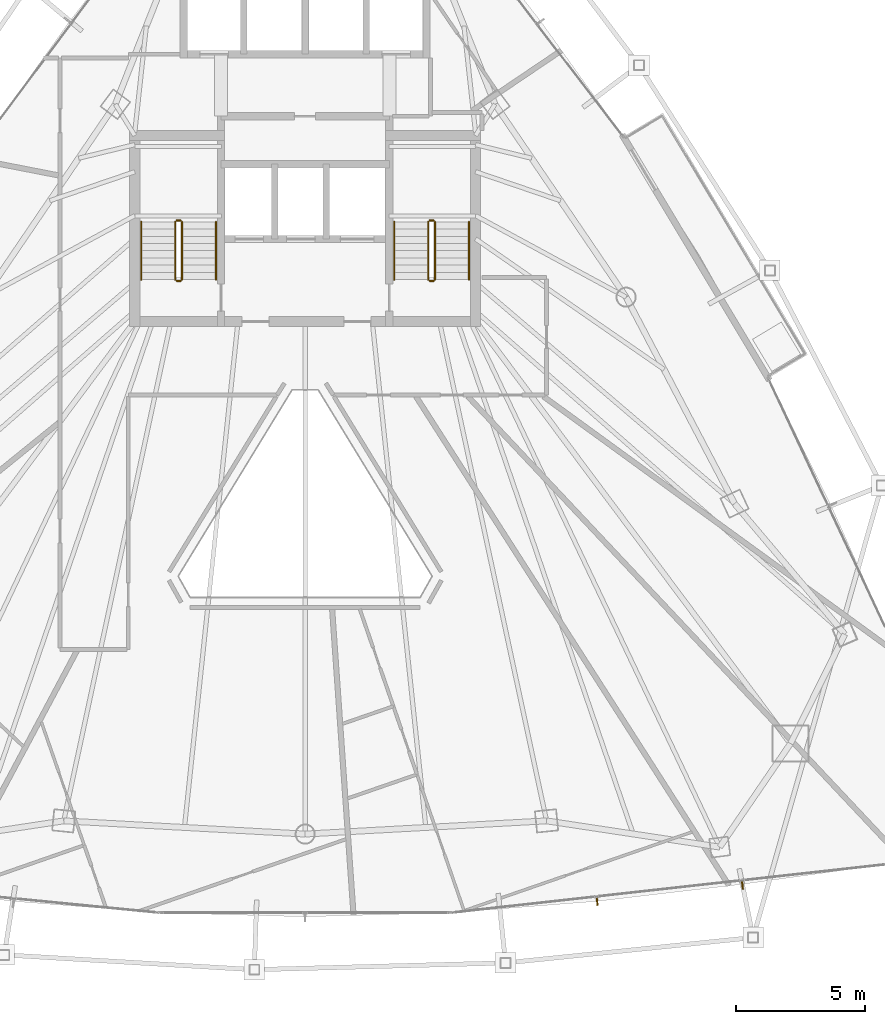
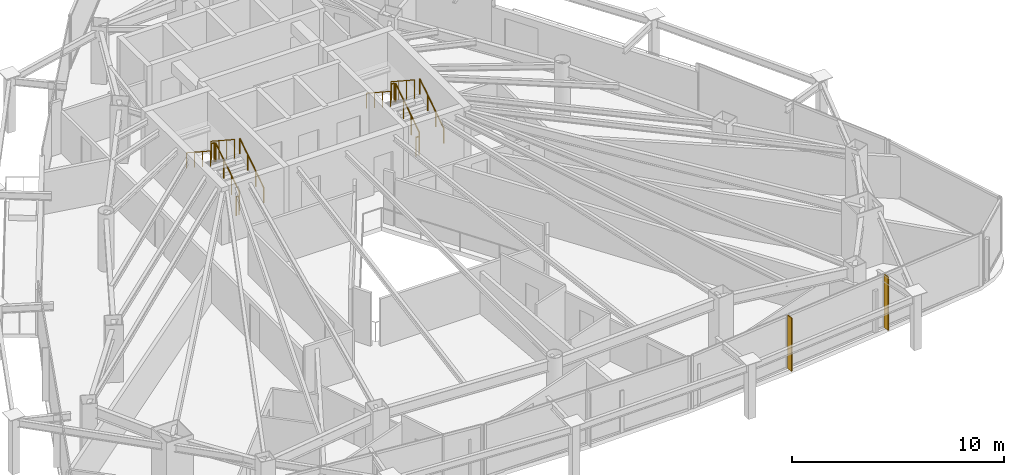
# One storey, part 28 of 29: 12 railings, 2 shading devices.
"""IFC4 building model written with IfcOpenShell, lengths in metres."""

from ifc_helpers import new_model, si_unit, direction, frame, origin, origin_2d, place, context, subcontext, project, spatial, rectangle, circle, extrude, material, layer, layer_set, type_object, element, save


model = new_model("IFC4")

# Units and contexts
model_context = context("Model", 3, precision=1e-05, world=origin(), true_north=direction((0.0, 1.0)))
body_context = subcontext(model_context, "Body", "Model", "MODEL_VIEW")
ifc_project = project(units=[si_unit("LENGTHUNIT", "METRE"), si_unit("AREAUNIT", "SQUARE_METRE"), si_unit("VOLUMEUNIT", "CUBIC_METRE"), si_unit("PLANEANGLEUNIT", "RADIAN"), si_unit("MASSUNIT", "GRAM", prefix="KILO")], contexts=[model_context])

# Site, building, storey
site_placement = place(None, origin())
site = spatial("IfcSite", under=ifc_project, at=site_placement, CompositionType="ELEMENT")
building_placement = place(site_placement, origin())
building = spatial("IfcBuilding", under=site, at=building_placement, Name="Orvanel Arch Residences", CompositionType="ELEMENT")
storey_placement = place(building_placement, frame((0.0, 0.0, 167.14990234375)))
storey = spatial("IfcBuildingStorey", under=building, at=storey_placement, Name="L47", CompositionType="ELEMENT", Elevation=167.14990234375)

# Shading devices
ifc_material_1 = material(Name="Bronze-anodised aluminium AA6063-T6", Category="aluminium")
ifc_layer = layer(ifc_material_1, 0.054931640625)
ifc_layer_set = layer_set([ifc_layer], Name="Bronze-anodised aluminium AA6063-T6")
shading_device_type = type_object("IfcShadingDeviceType", Name="FIN-BRZ-320", PredefinedType="USERDEFINED", material=ifc_layer_set)
for number, where, z_axis, x_axis, name in (
    (1, (44.31005859375, 4.235107421875, 0.0), (0.0, 0.0, 1.0), (0.109734311091, -0.993960955455, 0.0), "L47 Anodised Bronze Mullion FIN 01"),
    (2, (49.93798828125, 4.862060546875, 0.0), (0.0, 0.0, 1.0), (0.109734311091, -0.993960955455, 0.0), "L47 Anodised Bronze Mullion FIN 02"),
):
    element("IfcShadingDevice", number, at=place(storey_placement, frame(where, z_axis=z_axis, x_axis=x_axis)), inside=storey, type_object=shading_device_type, Name=name, ObjectType="FIN", PredefinedType="USERDEFINED", context=body_context, shape_type="SweptSolid", body=[
        extrude(rectangle(XDim=0.320068359375, YDim=0.054931640625, at=origin_2d()), origin(), (0.0, 0.0, 1.0), 3.06005859375),
    ])

# Railings
ifc_material_2 = material(Name="Structural steel AS/NZS 1163 C350L0 (Grade 350)", Category="steel")
railing_type_1 = type_object("IfcRailingType", Name="RL-STAIR-GUARD", PredefinedType="GUARDRAIL", material=ifc_material_2)
railing_1_placement = place(storey_placement, frame((28.22998046875, 28.320068359375, 0.183349609375)))
element("IfcRailing", 3, at=railing_1_placement, inside=storey, type_object=railing_type_1, Name="L47 ST-1 stair guard 1", PredefinedType="GUARDRAIL", context=body_context, shape_type="SweptSolid", body=[
    extrude(circle(Radius=0.02392578125, at=origin_2d()), frame((0.0, 0.001220703125, 1.076904296875), z_axis=(0.0, 0.836595146698, 0.547821650285), x_axis=(-1.0, 0.0, 0.0)), (0.0, 0.0, 1.0), 2.674560546875),
    extrude(circle(Radius=0.02099609375, at=origin_2d()), origin(), (0.0, 0.0, 1.0), 1.050048828125),
    extrude(circle(Radius=0.02099609375, at=origin_2d()), frame((0.0, 0.74658203125, 0.489013671875)), (0.0, 0.0, 1.0), 1.050048828125),
    extrude(circle(Radius=0.02099609375, at=origin_2d()), frame((0.0, 1.493408203125, 0.977783203125)), (0.0, 0.0, 1.0), 1.050048828125),
    extrude(circle(Radius=0.02099609375, at=origin_2d()), frame((0.0, 2.239990234375, 1.466796875)), (0.0, 0.0, 1.0), 1.050048828125),
])
railing_2_placement = place(storey_placement, frame((28.179931640625, 30.610107421875, 1.650146484375)))
element("IfcRailing", 4, at=railing_2_placement, inside=storey, type_object=railing_type_1, Name="L47 ST-1 stair guard 2", PredefinedType="GUARDRAIL", context=body_context, shape_type="SweptSolid", body=[
    extrude(circle(Radius=0.02392578125, at=origin_2d()), frame((-0.00146484375, 0.0, 1.076171875), z_axis=(-1.0, 0.0, 0.0), x_axis=(0.0, -1.0, 0.0)), (0.0, 0.0, 1.0), 0.156982421875),
    extrude(circle(Radius=0.02099609375, at=origin_2d()), origin(), (0.0, 0.0, 1.0), 1.050048828125),
    extrude(circle(Radius=0.02099609375, at=origin_2d()), frame((-0.159912109375, 0.0, 0.0)), (0.0, 0.0, 1.0), 1.050048828125),
])
railing_3_placement = place(storey_placement, frame((27.969970703125, 30.56005859375, 1.83349609375)))
element("IfcRailing", 5, at=railing_3_placement, inside=storey, type_object=railing_type_1, Name="L47 ST-1 stair guard 3", PredefinedType="GUARDRAIL", context=body_context, shape_type="SweptSolid", body=[
    extrude(circle(Radius=0.02392578125, at=origin_2d()), frame((0.0, -0.001220703125, 1.076904296875), z_axis=(0.0, -0.836636935527, 0.547757827979), x_axis=(1.0, 0.0, 0.0)), (0.0, 0.0, 1.0), 2.67431640625),
    extrude(circle(Radius=0.02099609375, at=origin_2d()), origin(), (0.0, 0.0, 1.0), 1.050048828125),
    extrude(circle(Radius=0.02099609375, at=origin_2d()), frame((0.0, -0.74658203125, 0.48876953125)), (0.0, 0.0, 1.0), 1.050048828125),
    extrude(circle(Radius=0.02099609375, at=origin_2d()), frame((0.0, -1.493408203125, 0.977783203125)), (0.0, 0.0, 1.0), 1.050048828125),
    extrude(circle(Radius=0.02099609375, at=origin_2d()), frame((0.0, -2.239990234375, 1.466552734375)), (0.0, 0.0, 1.0), 1.050048828125),
])
railing_4_placement = place(storey_placement, frame((28.179931640625, 28.27001953125, 0.0)))
element("IfcRailing", 6, at=railing_4_placement, inside=storey, type_object=railing_type_1, Name="L47 ST-1 stair guard 4", PredefinedType="GUARDRAIL", context=body_context, shape_type="SweptSolid", body=[
    extrude(circle(Radius=0.02392578125, at=origin_2d()), frame((-0.00146484375, 0.0, 1.076171875), z_axis=(-1.0, 0.0, 0.0), x_axis=(0.0, -1.0, 0.0)), (0.0, 0.0, 1.0), 0.156982421875),
    extrude(circle(Radius=0.02099609375, at=origin_2d()), origin(), (0.0, 0.0, 1.0), 1.050048828125),
    extrude(circle(Radius=0.02099609375, at=origin_2d()), frame((-0.159912109375, 0.0, 0.0)), (0.0, 0.0, 1.0), 1.050048828125),
])
railing_5_placement = place(storey_placement, frame((38.030029296875, 28.320068359375, 0.183349609375)))
element("IfcRailing", 7, at=railing_5_placement, inside=storey, type_object=railing_type_1, Name="L47 ST-2 stair guard 1", PredefinedType="GUARDRAIL", context=body_context, shape_type="SweptSolid", body=[
    extrude(circle(Radius=0.02392578125, at=origin_2d()), frame((0.0, 0.001220703125, 1.076904296875), z_axis=(0.0, 0.836595146698, 0.547821650285), x_axis=(-1.0, 0.0, 0.0)), (0.0, 0.0, 1.0), 2.674560546875),
    extrude(circle(Radius=0.02099609375, at=origin_2d()), origin(), (0.0, 0.0, 1.0), 1.050048828125),
    extrude(circle(Radius=0.02099609375, at=origin_2d()), frame((0.0, 0.74658203125, 0.489013671875)), (0.0, 0.0, 1.0), 1.050048828125),
    extrude(circle(Radius=0.02099609375, at=origin_2d()), frame((0.0, 1.493408203125, 0.977783203125)), (0.0, 0.0, 1.0), 1.050048828125),
    extrude(circle(Radius=0.02099609375, at=origin_2d()), frame((0.0, 2.239990234375, 1.466796875)), (0.0, 0.0, 1.0), 1.050048828125),
])
railing_6_placement = place(storey_placement, frame((37.97998046875, 30.610107421875, 1.650146484375)))
element("IfcRailing", 8, at=railing_6_placement, inside=storey, type_object=railing_type_1, Name="L47 ST-2 stair guard 2", PredefinedType="GUARDRAIL", context=body_context, shape_type="SweptSolid", body=[
    extrude(circle(Radius=0.02392578125, at=origin_2d()), frame((-0.00146484375, 0.0, 1.076171875), z_axis=(-1.0, 0.0, 0.0), x_axis=(0.0, -1.0, 0.0)), (0.0, 0.0, 1.0), 0.156982421875),
    extrude(circle(Radius=0.02099609375, at=origin_2d()), origin(), (0.0, 0.0, 1.0), 1.050048828125),
    extrude(circle(Radius=0.02099609375, at=origin_2d()), frame((-0.159912109375, 0.0, 0.0)), (0.0, 0.0, 1.0), 1.050048828125),
])
railing_7_placement = place(storey_placement, frame((37.77001953125, 30.56005859375, 1.83349609375)))
element("IfcRailing", 9, at=railing_7_placement, inside=storey, type_object=railing_type_1, Name="L47 ST-2 stair guard 3", PredefinedType="GUARDRAIL", context=body_context, shape_type="SweptSolid", body=[
    extrude(circle(Radius=0.02392578125, at=origin_2d()), frame((0.0, -0.001220703125, 1.076904296875), z_axis=(0.0, -0.836636935527, 0.547757827979), x_axis=(1.0, 0.0, 0.0)), (0.0, 0.0, 1.0), 2.67431640625),
    extrude(circle(Radius=0.02099609375, at=origin_2d()), origin(), (0.0, 0.0, 1.0), 1.050048828125),
    extrude(circle(Radius=0.02099609375, at=origin_2d()), frame((0.0, -0.74658203125, 0.48876953125)), (0.0, 0.0, 1.0), 1.050048828125),
    extrude(circle(Radius=0.02099609375, at=origin_2d()), frame((0.0, -1.493408203125, 0.977783203125)), (0.0, 0.0, 1.0), 1.050048828125),
    extrude(circle(Radius=0.02099609375, at=origin_2d()), frame((0.0, -2.239990234375, 1.466552734375)), (0.0, 0.0, 1.0), 1.050048828125),
])
railing_8_placement = place(storey_placement, frame((37.97998046875, 28.27001953125, 0.0)))
element("IfcRailing", 10, at=railing_8_placement, inside=storey, type_object=railing_type_1, Name="L47 ST-2 stair guard 4", PredefinedType="GUARDRAIL", context=body_context, shape_type="SweptSolid", body=[
    extrude(circle(Radius=0.02392578125, at=origin_2d()), frame((-0.00146484375, 0.0, 1.076171875), z_axis=(-1.0, 0.0, 0.0), x_axis=(0.0, -1.0, 0.0)), (0.0, 0.0, 1.0), 0.156982421875),
    extrude(circle(Radius=0.02099609375, at=origin_2d()), origin(), (0.0, 0.0, 1.0), 1.050048828125),
    extrude(circle(Radius=0.02099609375, at=origin_2d()), frame((-0.159912109375, 0.0, 0.0)), (0.0, 0.0, 1.0), 1.050048828125),
])
railing_type_2 = type_object("IfcRailingType", Name="RL-STAIR-HAND", PredefinedType="HANDRAIL", material=ifc_material_2)
railing_9_placement = place(storey_placement, frame((29.550048828125, 28.320068359375, 0.183349609375)))
element("IfcRailing", 11, at=railing_9_placement, inside=storey, type_object=railing_type_2, Name="L47 ST-1 stair handrail 1", PredefinedType="HANDRAIL", context=body_context, shape_type="SweptSolid", body=[
    extrude(circle(Radius=0.02392578125, at=origin_2d()), frame((0.0, 0.001220703125, 0.876708984375), z_axis=(0.0, 0.836595146698, 0.547821650285), x_axis=(-1.0, 0.0, 0.0)), (0.0, 0.0, 1.0), 2.674560546875),
    extrude(circle(Radius=0.02099609375, at=origin_2d()), origin(), (0.0, 0.0, 1.0), 0.849853515625),
    extrude(circle(Radius=0.02099609375, at=origin_2d()), frame((0.0, 0.74658203125, 0.489013671875)), (0.0, 0.0, 1.0), 0.849853515625),
    extrude(circle(Radius=0.02099609375, at=origin_2d()), frame((0.0, 1.493408203125, 0.977783203125)), (0.0, 0.0, 1.0), 0.849853515625),
    extrude(circle(Radius=0.02099609375, at=origin_2d()), frame((0.0, 2.239990234375, 1.466796875)), (0.0, 0.0, 1.0), 0.849853515625),
])
railing_10_placement = place(storey_placement, frame((26.64990234375, 30.56005859375, 1.83349609375)))
element("IfcRailing", 12, at=railing_10_placement, inside=storey, type_object=railing_type_2, Name="L47 ST-1 stair handrail 2", PredefinedType="HANDRAIL", context=body_context, shape_type="SweptSolid", body=[
    extrude(circle(Radius=0.02392578125, at=origin_2d()), frame((0.0, -0.001220703125, 0.876708984375), z_axis=(0.0, -0.836636935527, 0.547757827979), x_axis=(1.0, 0.0, 0.0)), (0.0, 0.0, 1.0), 2.67431640625),
    extrude(circle(Radius=0.02099609375, at=origin_2d()), origin(), (0.0, 0.0, 1.0), 0.849853515625),
    extrude(circle(Radius=0.02099609375, at=origin_2d()), frame((0.0, -0.74658203125, 0.48876953125)), (0.0, 0.0, 1.0), 0.849853515625),
    extrude(circle(Radius=0.02099609375, at=origin_2d()), frame((0.0, -1.493408203125, 0.977783203125)), (0.0, 0.0, 1.0), 0.849853515625),
    extrude(circle(Radius=0.02099609375, at=origin_2d()), frame((0.0, -2.239990234375, 1.466552734375)), (0.0, 0.0, 1.0), 0.849853515625),
])
railing_11_placement = place(storey_placement, frame((39.35009765625, 28.320068359375, 0.183349609375)))
element("IfcRailing", 13, at=railing_11_placement, inside=storey, type_object=railing_type_2, Name="L47 ST-2 stair handrail 1", PredefinedType="HANDRAIL", context=body_context, shape_type="SweptSolid", body=[
    extrude(circle(Radius=0.02392578125, at=origin_2d()), frame((0.0, 0.001220703125, 0.876708984375), z_axis=(0.0, 0.836595146698, 0.547821650285), x_axis=(-1.0, 0.0, 0.0)), (0.0, 0.0, 1.0), 2.674560546875),
    extrude(circle(Radius=0.02099609375, at=origin_2d()), origin(), (0.0, 0.0, 1.0), 0.849853515625),
    extrude(circle(Radius=0.02099609375, at=origin_2d()), frame((0.0, 0.74658203125, 0.489013671875)), (0.0, 0.0, 1.0), 0.849853515625),
    extrude(circle(Radius=0.02099609375, at=origin_2d()), frame((0.0, 1.493408203125, 0.977783203125)), (0.0, 0.0, 1.0), 0.849853515625),
    extrude(circle(Radius=0.02099609375, at=origin_2d()), frame((0.0, 2.239990234375, 1.466796875)), (0.0, 0.0, 1.0), 0.849853515625),
])
railing_12_placement = place(storey_placement, frame((36.449951171875, 30.56005859375, 1.83349609375)))
element("IfcRailing", 14, at=railing_12_placement, inside=storey, type_object=railing_type_2, Name="L47 ST-2 stair handrail 2", PredefinedType="HANDRAIL", context=body_context, shape_type="SweptSolid", body=[
    extrude(circle(Radius=0.02392578125, at=origin_2d()), frame((0.0, -0.001220703125, 0.876708984375), z_axis=(0.0, -0.836636935527, 0.547757827979), x_axis=(1.0, 0.0, 0.0)), (0.0, 0.0, 1.0), 2.67431640625),
    extrude(circle(Radius=0.02099609375, at=origin_2d()), origin(), (0.0, 0.0, 1.0), 0.849853515625),
    extrude(circle(Radius=0.02099609375, at=origin_2d()), frame((0.0, -0.74658203125, 0.48876953125)), (0.0, 0.0, 1.0), 0.849853515625),
    extrude(circle(Radius=0.02099609375, at=origin_2d()), frame((0.0, -1.493408203125, 0.977783203125)), (0.0, 0.0, 1.0), 0.849853515625),
    extrude(circle(Radius=0.02099609375, at=origin_2d()), frame((0.0, -2.239990234375, 1.466552734375)), (0.0, 0.0, 1.0), 0.849853515625),
])

save(model, "model.ifc")
